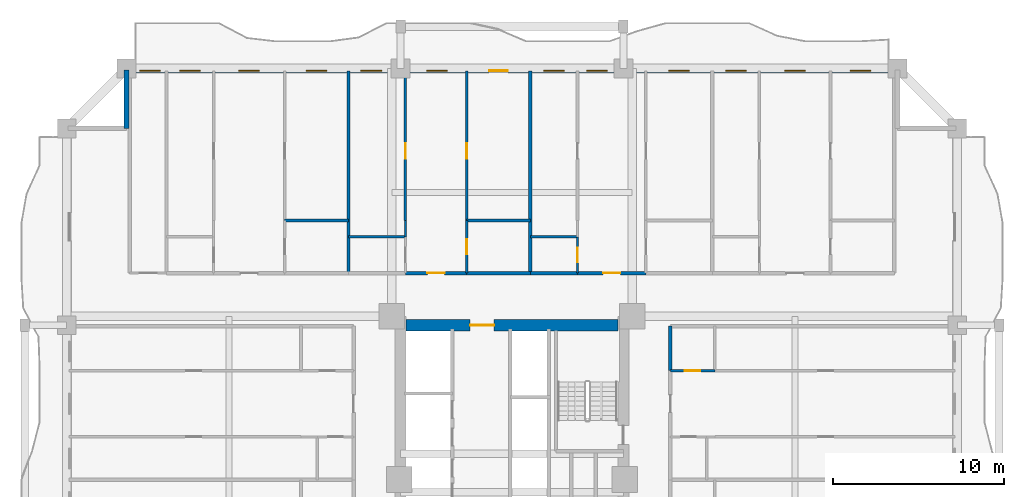
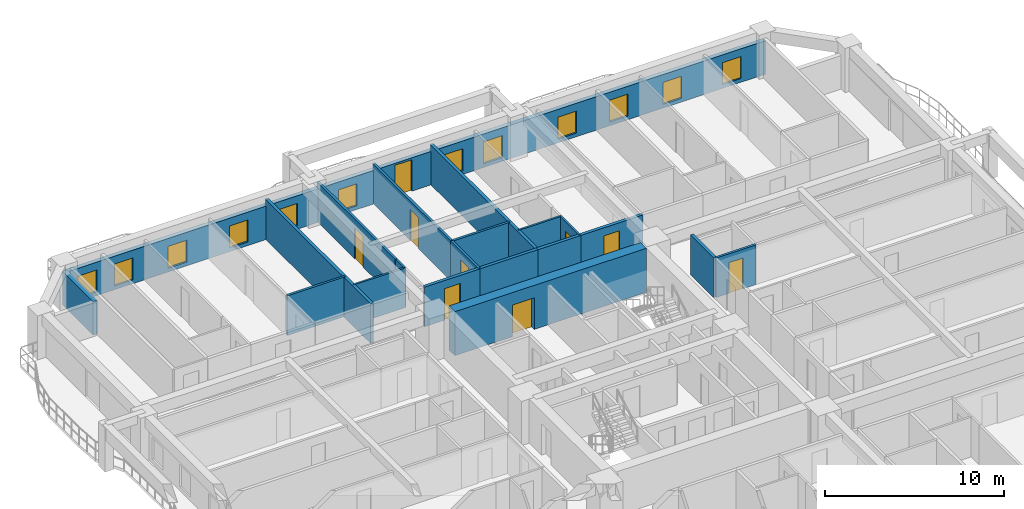
# One storey, part 7 of 15: 20 walls, 12 windows, 9 doors, 21 openings.
"""IFC4 building model written with IfcOpenShell, lengths in metres."""

from ifc_helpers import new_model, si_unit, direction, frame, frame_2d, origin, place, context, subcontext, project, spatial, rectangle, extrude, source, transform, mapped, material, layer, layer_set, type_object, element, fill, save


model = new_model("IFC4")

# Units and contexts
model_context = context("Model", 3, precision=1e-05, world=origin(), true_north=direction((0.0, 1.0)))
body_context = subcontext(model_context, "Body", "Model", "MODEL_VIEW")
ifc_project = project(units=[si_unit("LENGTHUNIT", "METRE"), si_unit("AREAUNIT", "SQUARE_METRE"), si_unit("VOLUMEUNIT", "CUBIC_METRE"), si_unit("PLANEANGLEUNIT", "RADIAN"), si_unit("MASSUNIT", "GRAM", prefix="KILO")], contexts=[model_context])

# Site, building, storey
site_placement = place(None, origin())
site = spatial("IfcSite", under=ifc_project, at=site_placement, CompositionType="ELEMENT")
building_placement = place(site_placement, origin())
building = spatial("IfcBuilding", under=site, at=building_placement, Name="Saelheon Loggia Tower", CompositionType="ELEMENT")
storey_placement = place(building_placement, frame((0.0, 0.0, 67.39990234375)))
storey = spatial("IfcBuildingStorey", under=building, at=storey_placement, Name="L21", CompositionType="ELEMENT", Elevation=67.39990234375)

# Wall, opening, door
ifc_material_1 = material(Name="Concrete C60/75", Category="concrete")
ifc_layer_1 = layer(ifc_material_1, 0.64990234375)
ifc_layer_set_1 = layer_set([ifc_layer_1], Name="Concrete C60/75")
wall_type_1 = type_object("IfcWallType", Name="Wall_CoreShear_650", PredefinedType="SHEAR", material=ifc_layer_set_1)
wall_1_placement = place(storey_placement, frame((31.824951171875, 36.0, 0.0), z_axis=(0.0, 0.0, 1.0), x_axis=(1.0, 0.0, 0.0)))
wall_1 = element("IfcWall", 1, at=wall_1_placement, inside=storey, type_object=wall_type_1, Name="L21 Core Shear Wall North", PredefinedType="SHEAR", context=body_context, shape_type="SweptSolid", body=[
    extrude(rectangle(XDim=12.35009765625, YDim=0.64990234375, at=frame_2d((6.175048828125, 0.0))), origin(), (0.0, 0.0, 1.0), 3.0),
])
opening_1_placement = place(wall_1_placement, frame((5.125, 0.0, 0.0), z_axis=(0.0, 0.0, 1.0), x_axis=(-1.0, 0.0, 0.0)))
opening_1 = element("IfcOpeningElement", 2, at=opening_1_placement, cuts=wall_1, Name="Opening D-FD2L", PredefinedType="OPENING", context=body_context, shape_type="SweptSolid", body=[
    extrude(rectangle(XDim=1.39990234375, YDim=2.14990234375, at=frame_2d((0.699951171875, 1.074951171875))), frame((0.0, 0.3369140625, 0.0), z_axis=(0.0, -1.0, 0.0), x_axis=(1.0, 0.0, 0.0)), (0.0, 0.0, 1.0), 0.673828125),
])
ifc_material_2 = material(Name="Galvanised Steel Glazed Lobby Fire Door", Category="steel")
door_type_1 = type_object("IfcDoorType", Name="Door_Fire_FD60_1400", OperationType="NOTDEFINED", PredefinedType="DOOR", material=ifc_material_2)
shared_shape_1 = source(origin(), body_context, "Body", "SweptSolid", [
    extrude(rectangle(XDim=1.39990234375, YDim=2.14990234375, at=frame_2d((0.699951171875, 1.074951171875))), frame((0.0, 0.02490234375, 0.0), z_axis=(0.0, -1.0, 0.0), x_axis=(1.0, 0.0, 0.0)), (0.0, 0.0, 1.0), 0.050048828125),
])
door_1_placement = place(opening_1_placement, origin())
door_1 = element("IfcDoor", 3, at=door_1_placement, inside=storey, type_object=door_type_1, Name="L21 Passenger Lift Lobby Main Door", OperationType="SINGLE_SWING_RIGHT", OverallHeight=2.14990234375, OverallWidth=1.39990234375, PredefinedType="DOOR", context=body_context, shape_type="MappedRepresentation", body=[
    mapped(shared_shape_1, transform((0.0, 0.0, 0.0), scale=1.0)),
])
fill(opening_1, door_1)

# Wall, openings, windows, door
ifc_material_3 = material(Name="Architectural Precast Concrete C40/50", Category="concrete")
ifc_layer_2 = layer(ifc_material_3, 0.280029296875)
ifc_layer_set_2 = layer_set([ifc_layer_2], Name="Architectural Precast Concrete C40/50")
wall_type_2 = type_object("IfcWallType", Name="Wall_Ext_Loggia_280", PredefinedType="SOLIDWALL", material=ifc_layer_set_2)
wall_2_placement = place(storey_placement, frame((15.5, 50.860107421875, 0.0), z_axis=(0.0, 0.0, 1.0), x_axis=(1.0, 0.0, 0.0)))
wall_2 = element("IfcWall", 4, at=wall_2_placement, inside=storey, type_object=wall_type_2, Name="L21 North Loggia Inner Wall", PredefinedType="SOLIDWALL", context=body_context, shape_type="SweptSolid", body=[
    extrude(rectangle(XDim=45.0, YDim=0.280029296875, at=frame_2d((22.5, 0.0))), origin(), (0.0, 0.0, 1.0), 2.280029296875),
])
opening_2_placement = place(wall_2_placement, frame((0.760009765625, 0.0, 0.25)))
opening_2 = element("IfcOpeningElement", 5, at=opening_2_placement, cuts=wall_2, Name="Opening WN-03", PredefinedType="OPENING", context=body_context, shape_type="SweptSolid", body=[
    extrude(rectangle(XDim=1.199951171875, YDim=1.5, at=frame_2d((0.60009765625, 0.75))), frame((0.0, 0.152099609375, 0.0), z_axis=(0.0, -1.0, 0.0), x_axis=(1.0, 0.0, 0.0)), (0.0, 0.0, 1.0), 0.303955078125),
])
opening_3_placement = place(wall_2_placement, frame((3.10498046875, 0.0, 0.25)))
opening_3 = element("IfcOpeningElement", 6, at=opening_3_placement, cuts=wall_2, Name="Opening WN-03", PredefinedType="OPENING", context=body_context, shape_type="SweptSolid", body=[
    extrude(rectangle(XDim=1.199951171875, YDim=1.5, at=frame_2d((0.60009765625, 0.75))), frame((0.0, 0.152099609375, 0.0), z_axis=(0.0, -1.0, 0.0), x_axis=(1.0, 0.0, 0.0)), (0.0, 0.0, 1.0), 0.303955078125),
])
opening_4_placement = place(wall_2_placement, frame((6.554931640625, 0.0, 0.25)))
opening_4 = element("IfcOpeningElement", 7, at=opening_4_placement, cuts=wall_2, Name="Opening WN-03", PredefinedType="OPENING", context=body_context, shape_type="SweptSolid", body=[
    extrude(rectangle(XDim=1.199951171875, YDim=1.5, at=frame_2d((0.60009765625, 0.75))), frame((0.0, 0.152099609375, 0.0), z_axis=(0.0, -1.0, 0.0), x_axis=(1.0, 0.0, 0.0)), (0.0, 0.0, 1.0), 0.303955078125),
])
opening_5_placement = place(wall_2_placement, frame((10.4912109375, 0.0, 0.25)))
opening_5 = element("IfcOpeningElement", 8, at=opening_5_placement, cuts=wall_2, Name="Opening WN-03", PredefinedType="OPENING", context=body_context, shape_type="SweptSolid", body=[
    extrude(rectangle(XDim=1.199951171875, YDim=1.5, at=frame_2d((0.60009765625, 0.75))), frame((0.0, 0.152099609375, 0.0), z_axis=(0.0, -1.0, 0.0), x_axis=(1.0, 0.0, 0.0)), (0.0, 0.0, 1.0), 0.303955078125),
])
opening_6_placement = place(wall_2_placement, frame((13.681396484375, 0.0, 0.25)))
opening_6 = element("IfcOpeningElement", 9, at=opening_6_placement, cuts=wall_2, Name="Opening WN-03", PredefinedType="OPENING", context=body_context, shape_type="SweptSolid", body=[
    extrude(rectangle(XDim=1.199951171875, YDim=1.5, at=frame_2d((0.60009765625, 0.75))), frame((0.0, 0.152099609375, 0.0), z_axis=(0.0, -1.0, 0.0), x_axis=(1.0, 0.0, 0.0)), (0.0, 0.0, 1.0), 0.303955078125),
])
opening_7_placement = place(wall_2_placement, frame((17.52099609375, 0.0, 0.25)))
opening_7 = element("IfcOpeningElement", 10, at=opening_7_placement, cuts=wall_2, Name="Opening WN-03", PredefinedType="OPENING", context=body_context, shape_type="SweptSolid", body=[
    extrude(rectangle(XDim=1.199951171875, YDim=1.5, at=frame_2d((0.60009765625, 0.75))), frame((0.0, 0.152099609375, 0.0), z_axis=(0.0, -1.0, 0.0), x_axis=(1.0, 0.0, 0.0)), (0.0, 0.0, 1.0), 0.303955078125),
])
opening_8_placement = place(wall_2_placement, frame((21.16357421875, 0.0, 0.0)))
opening_8 = element("IfcOpeningElement", 11, at=opening_8_placement, cuts=wall_2, Name="Opening TD1", PredefinedType="OPENING", context=body_context, shape_type="SweptSolid", body=[
    extrude(rectangle(XDim=1.10009765625, YDim=2.14990234375, at=frame_2d((0.550048828125, 1.074951171875))), frame((0.0, 0.152099609375, 0.0), z_axis=(0.0, -1.0, 0.0), x_axis=(1.0, 0.0, 0.0)), (0.0, 0.0, 1.0), 0.303955078125),
])
opening_9_placement = place(wall_2_placement, frame((24.35009765625, 0.0, 0.25)))
opening_9 = element("IfcOpeningElement", 12, at=opening_9_placement, cuts=wall_2, Name="Opening WN-03", PredefinedType="OPENING", context=body_context, shape_type="SweptSolid", body=[
    extrude(rectangle(XDim=1.199951171875, YDim=1.5, at=frame_2d((0.60009765625, 0.75))), frame((0.0, 0.152099609375, 0.0), z_axis=(0.0, -1.0, 0.0), x_axis=(1.0, 0.0, 0.0)), (0.0, 0.0, 1.0), 0.303955078125),
])
opening_10_placement = place(wall_2_placement, frame((26.867431640625, 0.0, 0.25)))
opening_10 = element("IfcOpeningElement", 13, at=opening_10_placement, cuts=wall_2, Name="Opening WN-03", PredefinedType="OPENING", context=body_context, shape_type="SweptSolid", body=[
    extrude(rectangle(XDim=1.199951171875, YDim=1.5, at=frame_2d((0.60009765625, 0.75))), frame((0.0, 0.152099609375, 0.0), z_axis=(0.0, -1.0, 0.0), x_axis=(1.0, 0.0, 0.0)), (0.0, 0.0, 1.0), 0.303955078125),
])
opening_11_placement = place(wall_2_placement, frame((31.65869140625, 0.0, 0.25)))
opening_11 = element("IfcOpeningElement", 14, at=opening_11_placement, cuts=wall_2, Name="Opening WN-03", PredefinedType="OPENING", context=body_context, shape_type="SweptSolid", body=[
    extrude(rectangle(XDim=1.199951171875, YDim=1.5, at=frame_2d((0.60009765625, 0.75))), frame((0.0, 0.152099609375, 0.0), z_axis=(0.0, -1.0, 0.0), x_axis=(1.0, 0.0, 0.0)), (0.0, 0.0, 1.0), 0.303955078125),
])
opening_12_placement = place(wall_2_placement, frame((34.972412109375, 0.0, 0.25)))
opening_12 = element("IfcOpeningElement", 15, at=opening_12_placement, cuts=wall_2, Name="Opening WN-03", PredefinedType="OPENING", context=body_context, shape_type="SweptSolid", body=[
    extrude(rectangle(XDim=1.199951171875, YDim=1.5, at=frame_2d((0.60009765625, 0.75))), frame((0.0, 0.152099609375, 0.0), z_axis=(0.0, -1.0, 0.0), x_axis=(1.0, 0.0, 0.0)), (0.0, 0.0, 1.0), 0.303955078125),
])
opening_13_placement = place(wall_2_placement, frame((38.42236328125, 0.0, 0.25)))
opening_13 = element("IfcOpeningElement", 16, at=opening_13_placement, cuts=wall_2, Name="Opening WN-03", PredefinedType="OPENING", context=body_context, shape_type="SweptSolid", body=[
    extrude(rectangle(XDim=1.199951171875, YDim=1.5, at=frame_2d((0.60009765625, 0.75))), frame((0.0, 0.152099609375, 0.0), z_axis=(0.0, -1.0, 0.0), x_axis=(1.0, 0.0, 0.0)), (0.0, 0.0, 1.0), 0.303955078125),
])
opening_14_placement = place(wall_2_placement, frame((42.253662109375, 0.0, 0.25)))
opening_14 = element("IfcOpeningElement", 17, at=opening_14_placement, cuts=wall_2, Name="Opening WN-03", PredefinedType="OPENING", context=body_context, shape_type="SweptSolid", body=[
    extrude(rectangle(XDim=1.199951171875, YDim=1.5, at=frame_2d((0.60009765625, 0.75))), frame((0.0, 0.152099609375, 0.0), z_axis=(0.0, -1.0, 0.0), x_axis=(1.0, 0.0, 0.0)), (0.0, 0.0, 1.0), 0.303955078125),
])
ifc_material_4 = material(Name="Thermal-Break Aluminium and Triple Low-E Glass", Category="aluminium")
window_type = type_object("IfcWindowType", Name="Win_Bedroom_1200x1500", PartitioningType="SINGLE_PANEL", PredefinedType="WINDOW", material=ifc_material_4)
shared_shape_2 = source(origin(), body_context, "Body", "SweptSolid", [
    extrude(rectangle(XDim=1.199951171875, YDim=1.5, at=frame_2d((0.60009765625, 0.75))), frame((0.0, 0.030029296875, 0.0), z_axis=(0.0, -1.0, 0.0), x_axis=(1.0, 0.0, 0.0)), (0.0, 0.0, 1.0), 0.06005859375),
])
window_1_placement = place(opening_2_placement, origin())
window_1 = element("IfcWindow", 18, at=window_1_placement, inside=storey, type_object=window_type, Name="L21 N Dwelling Window 1", OverallHeight=1.5, OverallWidth=1.199951171875, PartitioningType="SINGLE_PANEL", PredefinedType="WINDOW", context=body_context, shape_type="MappedRepresentation", body=[
    mapped(shared_shape_2, transform((0.0, 0.0, 0.0), scale=1.0)),
])
fill(opening_2, window_1)
window_2_placement = place(opening_3_placement, origin())
window_2 = element("IfcWindow", 19, at=window_2_placement, inside=storey, type_object=window_type, Name="L21 N Dwelling Window 2", OverallHeight=1.5, OverallWidth=1.199951171875, PartitioningType="SINGLE_PANEL", PredefinedType="WINDOW", context=body_context, shape_type="MappedRepresentation", body=[
    mapped(shared_shape_2, transform((0.0, 0.0, 0.0), scale=1.0)),
])
fill(opening_3, window_2)
window_3_placement = place(opening_4_placement, origin())
window_3 = element("IfcWindow", 20, at=window_3_placement, inside=storey, type_object=window_type, Name="L21 N Dwelling Window 3", OverallHeight=1.5, OverallWidth=1.199951171875, PartitioningType="SINGLE_PANEL", PredefinedType="WINDOW", context=body_context, shape_type="MappedRepresentation", body=[
    mapped(shared_shape_2, transform((0.0, 0.0, 0.0), scale=1.0)),
])
fill(opening_4, window_3)
window_4_placement = place(opening_5_placement, origin())
window_4 = element("IfcWindow", 21, at=window_4_placement, inside=storey, type_object=window_type, Name="L21 N Dwelling Window 4", OverallHeight=1.5, OverallWidth=1.199951171875, PartitioningType="SINGLE_PANEL", PredefinedType="WINDOW", context=body_context, shape_type="MappedRepresentation", body=[
    mapped(shared_shape_2, transform((0.0, 0.0, 0.0), scale=1.0)),
])
fill(opening_5, window_4)
window_5_placement = place(opening_6_placement, origin())
window_5 = element("IfcWindow", 22, at=window_5_placement, inside=storey, type_object=window_type, Name="L21 N Dwelling Window 5", OverallHeight=1.5, OverallWidth=1.199951171875, PartitioningType="SINGLE_PANEL", PredefinedType="WINDOW", context=body_context, shape_type="MappedRepresentation", body=[
    mapped(shared_shape_2, transform((0.0, 0.0, 0.0), scale=1.0)),
])
fill(opening_6, window_5)
window_6_placement = place(opening_7_placement, origin())
window_6 = element("IfcWindow", 23, at=window_6_placement, inside=storey, type_object=window_type, Name="L21 N Dwelling Window 6", OverallHeight=1.5, OverallWidth=1.199951171875, PartitioningType="SINGLE_PANEL", PredefinedType="WINDOW", context=body_context, shape_type="MappedRepresentation", body=[
    mapped(shared_shape_2, transform((0.0, 0.0, 0.0), scale=1.0)),
])
fill(opening_7, window_6)
window_7_placement = place(opening_9_placement, origin())
window_7 = element("IfcWindow", 24, at=window_7_placement, inside=storey, type_object=window_type, Name="L21 N Dwelling Window 8", OverallHeight=1.5, OverallWidth=1.199951171875, PartitioningType="SINGLE_PANEL", PredefinedType="WINDOW", context=body_context, shape_type="MappedRepresentation", body=[
    mapped(shared_shape_2, transform((0.0, 0.0, 0.0), scale=1.0)),
])
fill(opening_9, window_7)
window_8_placement = place(opening_10_placement, origin())
window_8 = element("IfcWindow", 25, at=window_8_placement, inside=storey, type_object=window_type, Name="L21 N Dwelling Window 9", OverallHeight=1.5, OverallWidth=1.199951171875, PartitioningType="SINGLE_PANEL", PredefinedType="WINDOW", context=body_context, shape_type="MappedRepresentation", body=[
    mapped(shared_shape_2, transform((0.0, 0.0, 0.0), scale=1.0)),
])
fill(opening_10, window_8)
window_9_placement = place(opening_11_placement, origin())
window_9 = element("IfcWindow", 26, at=window_9_placement, inside=storey, type_object=window_type, Name="L21 N Dwelling Window 10", OverallHeight=1.5, OverallWidth=1.199951171875, PartitioningType="SINGLE_PANEL", PredefinedType="WINDOW", context=body_context, shape_type="MappedRepresentation", body=[
    mapped(shared_shape_2, transform((0.0, 0.0, 0.0), scale=1.0)),
])
fill(opening_11, window_9)
window_10_placement = place(opening_12_placement, origin())
window_10 = element("IfcWindow", 27, at=window_10_placement, inside=storey, type_object=window_type, Name="L21 N Dwelling Window 11", OverallHeight=1.5, OverallWidth=1.199951171875, PartitioningType="SINGLE_PANEL", PredefinedType="WINDOW", context=body_context, shape_type="MappedRepresentation", body=[
    mapped(shared_shape_2, transform((0.0, 0.0, 0.0), scale=1.0)),
])
fill(opening_12, window_10)
window_11_placement = place(opening_13_placement, origin())
window_11 = element("IfcWindow", 28, at=window_11_placement, inside=storey, type_object=window_type, Name="L21 N Dwelling Window 12", OverallHeight=1.5, OverallWidth=1.199951171875, PartitioningType="SINGLE_PANEL", PredefinedType="WINDOW", context=body_context, shape_type="MappedRepresentation", body=[
    mapped(shared_shape_2, transform((0.0, 0.0, 0.0), scale=1.0)),
])
fill(opening_13, window_11)
window_12_placement = place(opening_14_placement, origin())
window_12 = element("IfcWindow", 29, at=window_12_placement, inside=storey, type_object=window_type, Name="L21 N Dwelling Window 13", OverallHeight=1.5, OverallWidth=1.199951171875, PartitioningType="SINGLE_PANEL", PredefinedType="WINDOW", context=body_context, shape_type="MappedRepresentation", body=[
    mapped(shared_shape_2, transform((0.0, 0.0, 0.0), scale=1.0)),
])
fill(opening_14, window_12)
ifc_material_5 = material(Name="Thermal-Break Aluminium Glazed Door", Category="aluminium")
door_type_2 = type_object("IfcDoorType", Name="Door_Terrace_TD1", OperationType="NOTDEFINED", PredefinedType="DOOR", material=ifc_material_5)
shared_shape_3 = source(origin(), body_context, "Body", "SweptSolid", [
    extrude(rectangle(XDim=1.10009765625, YDim=2.14990234375, at=frame_2d((0.550048828125, 1.074951171875))), frame((0.0, 0.02490234375, 0.0), z_axis=(0.0, -1.0, 0.0), x_axis=(1.0, 0.0, 0.0)), (0.0, 0.0, 1.0), 0.050048828125),
])
door_2_placement = place(opening_8_placement, origin())
door_2 = element("IfcDoor", 30, at=door_2_placement, inside=storey, type_object=door_type_2, Name="L21 N Loggia Access Door", OperationType="SINGLE_SWING_LEFT", OverallHeight=2.14990234375, OverallWidth=1.10009765625, PredefinedType="DOOR", context=body_context, shape_type="MappedRepresentation", body=[
    mapped(shared_shape_3, transform((0.0, 0.0, 0.0), scale=1.0)),
])
fill(opening_8, door_2)

# Walls
wall_3_placement = place(storey_placement, frame((15.5, 47.5, 0.0), z_axis=(0.0, 0.0, 1.0), x_axis=(0.0, 1.0, 0.0)))
element("IfcWall", 31, at=wall_3_placement, inside=storey, type_object=wall_type_2, Name="L21 Corner Notch Precast Wall NW1", PredefinedType="SOLIDWALL", context=body_context, shape_type="SweptSolid", body=[
    extrude(rectangle(XDim=3.419921875, YDim=0.280029296875, at=frame_2d((1.7099609375, 0.0))), origin(), (0.0, 0.0, 1.0), 2.280029296875),
])
ifc_material_6 = material(Name="Lightweight Autoclaved Aerated Concrete Block and Acoustic Gypsum", Category="concrete")
ifc_layer_3 = layer(ifc_material_6, 0.14990234375)
ifc_layer_set_3 = layer_set([ifc_layer_3], Name="Lightweight Autoclaved Aerated Concrete Block and Acoustic Gypsum")
wall_type_3 = type_object("IfcWallType", Name="Wall_Part_150", PredefinedType="PARTITIONING", material=ifc_layer_set_3)
for number, where, z_axis, x_axis, name in (
    (32, (24.729736328125, 42.1201171875, 0.0), (0.0, 0.0, 1.0), (1.0, 0.0, 0.0), "L21 N Partition V09"),
    (33, (35.352294921875, 42.1201171875, 0.0), (0.0, 0.0, 1.0), (1.0, 0.0, 0.0), "L21 N Partition V20"),
):
    element("IfcWall", number, at=place(storey_placement, frame(where, z_axis=z_axis, x_axis=x_axis)), inside=storey, type_object=wall_type_3, Name=name, PredefinedType="PARTITIONING", context=body_context, shape_type="SweptSolid", body=[
        extrude(rectangle(XDim=3.72265625, YDim=0.14990234375, at=frame_2d((1.861328125, 0.0))), origin(), (0.0, 0.0, 1.0), 2.7001953125),
    ])

# Wall, opening, door
wall_4_placement = place(storey_placement, frame((31.780029296875, 42.1201171875, 0.0), z_axis=(0.0, 0.0, 1.0), x_axis=(0.0, 1.0, 0.0)))
wall_4 = element("IfcWall", 34, at=wall_4_placement, inside=storey, type_object=wall_type_3, Name="L21 N Partition U23", PredefinedType="PARTITIONING", context=body_context, shape_type="SweptSolid", body=[
    extrude(rectangle(XDim=8.72998046875, YDim=0.14990234375, at=frame_2d((4.364990234375, 0.0))), origin(), (0.0, 0.0, 1.0), 2.7001953125),
])
opening_15_placement = place(wall_4_placement, frame((3.60888671875, 0.0, 0.0)))
opening_15 = element("IfcOpeningElement", 35, at=opening_15_placement, cuts=wall_4, Name="Opening D-IN2", PredefinedType="OPENING", context=body_context, shape_type="SweptSolid", body=[
    extrude(rectangle(XDim=0.89990234375, YDim=2.10009765625, at=frame_2d((0.449951171875, 1.050048828125))), frame((0.0, 0.0869140625, 0.0), z_axis=(0.0, -1.0, 0.0), x_axis=(1.0, 0.0, 0.0)), (0.0, 0.0, 1.0), 0.173828125),
])
ifc_material_7 = material(Name="Engineered Oak Flush Door", Category="timber")
door_type_3 = type_object("IfcDoorType", Name="Door_Int_900", OperationType="NOTDEFINED", PredefinedType="DOOR", material=ifc_material_7)
shared_shape_4 = source(origin(), body_context, "Body", "SweptSolid", [
    extrude(rectangle(XDim=0.89990234375, YDim=2.10009765625, at=frame_2d((0.449951171875, 1.050048828125))), frame((0.0, 0.02490234375, 0.0), z_axis=(0.0, -1.0, 0.0), x_axis=(1.0, 0.0, 0.0)), (0.0, 0.0, 1.0), 0.050048828125),
])
door_3_placement = place(opening_15_placement, origin())
door_3 = element("IfcDoor", 36, at=door_3_placement, inside=storey, type_object=door_type_3, Name="Unit U06 Kitchen Door", OperationType="SINGLE_SWING_RIGHT", OverallHeight=2.10009765625, OverallWidth=0.89990234375, PredefinedType="DOOR", context=body_context, shape_type="MappedRepresentation", body=[
    mapped(shared_shape_4, transform((0.0, 0.0, 0.0), scale=1.0)),
])
fill(opening_15, door_3)

wall_5_placement = place(storey_placement, frame((35.352294921875, 39.050048828125, 0.0), z_axis=(0.0, 0.0, 1.0), x_axis=(0.0, 1.0, 0.0)))
wall_5 = element("IfcWall", 37, at=wall_5_placement, inside=storey, type_object=wall_type_3, Name="L21 N Partition U24", PredefinedType="PARTITIONING", context=body_context, shape_type="SweptSolid", body=[
    extrude(rectangle(XDim=3.070068359375, YDim=0.14990234375, at=frame_2d((1.53515625, 0.0))), origin(), (0.0, 0.0, 1.0), 2.7001953125),
])
opening_16_placement = place(wall_5_placement, frame((1.0849609375, 0.0, 0.0)))
opening_16 = element("IfcOpeningElement", 38, at=opening_16_placement, cuts=wall_5, Name="Opening D-IN2", PredefinedType="OPENING", context=body_context, shape_type="SweptSolid", body=[
    extrude(rectangle(XDim=0.89990234375, YDim=2.10009765625, at=frame_2d((0.449951171875, 1.050048828125))), frame((0.0, 0.0869140625, 0.0), z_axis=(0.0, -1.0, 0.0), x_axis=(1.0, 0.0, 0.0)), (0.0, 0.0, 1.0), 0.173828125),
])
door_4_placement = place(opening_16_placement, origin())
door_4 = element("IfcDoor", 39, at=door_4_placement, inside=storey, type_object=door_type_3, Name="Unit U06 Dressing Closet Door", OperationType="SINGLE_SWING_LEFT", OverallHeight=2.10009765625, OverallWidth=0.89990234375, PredefinedType="DOOR", context=body_context, shape_type="MappedRepresentation", body=[
    mapped(shared_shape_4, transform((0.0, 0.0, 0.0), scale=1.0)),
])
fill(opening_16, door_4)

wall_6_placement = place(storey_placement, frame((35.352294921875, 42.1201171875, 0.0), z_axis=(0.0, 0.0, 1.0), x_axis=(0.0, 1.0, 0.0)))
wall_6 = element("IfcWall", 40, at=wall_6_placement, inside=storey, type_object=wall_type_3, Name="L21 N Partition U25", PredefinedType="PARTITIONING", context=body_context, shape_type="SweptSolid", body=[
    extrude(rectangle(XDim=8.72998046875, YDim=0.14990234375, at=frame_2d((4.364990234375, 0.0))), origin(), (0.0, 0.0, 1.0), 2.7001953125),
])
opening_17_placement = place(wall_6_placement, frame((3.60888671875, 0.0, 0.0)))
opening_17 = element("IfcOpeningElement", 41, at=opening_17_placement, cuts=wall_6, Name="Opening D-IN2", PredefinedType="OPENING", context=body_context, shape_type="SweptSolid", body=[
    extrude(rectangle(XDim=0.89990234375, YDim=2.10009765625, at=frame_2d((0.449951171875, 1.050048828125))), frame((0.0, 0.0869140625, 0.0), z_axis=(0.0, -1.0, 0.0), x_axis=(1.0, 0.0, 0.0)), (0.0, 0.0, 1.0), 0.173828125),
])
door_5_placement = place(opening_17_placement, origin())
door_5 = element("IfcDoor", 42, at=door_5_placement, inside=storey, type_object=door_type_3, Name="Unit U06 Bedroom 1 Door", OperationType="SINGLE_SWING_RIGHT", OverallHeight=2.10009765625, OverallWidth=0.89990234375, PredefinedType="DOOR", context=body_context, shape_type="MappedRepresentation", body=[
    mapped(shared_shape_4, transform((0.0, 0.0, 0.0), scale=1.0)),
])
fill(opening_17, door_5)

wall_7_placement = place(storey_placement, frame((47.25, 33.35009765625, 0.0), z_axis=(0.0, 0.0, 1.0), x_axis=(1.0, 0.0, 0.0)))
wall_7 = element("IfcWall", 43, at=wall_7_placement, inside=storey, type_object=wall_type_3, Name="L21 E Partition U22", PredefinedType="PARTITIONING", context=body_context, shape_type="SweptSolid", body=[
    extrude(rectangle(XDim=2.590087890625, YDim=0.14990234375, at=frame_2d((1.294921875, 0.0))), origin(), (0.0, 0.0, 1.0), 2.7001953125),
])
opening_18_placement = place(wall_7_placement, frame((0.844970703125, 0.0, 0.0)))
opening_18 = element("IfcOpeningElement", 44, at=opening_18_placement, cuts=wall_7, Name="Opening D-IN2", PredefinedType="OPENING", context=body_context, shape_type="SweptSolid", body=[
    extrude(rectangle(XDim=0.89990234375, YDim=2.10009765625, at=frame_2d((0.449951171875, 1.050048828125))), frame((0.0, 0.0869140625, 0.0), z_axis=(0.0, -1.0, 0.0), x_axis=(1.0, 0.0, 0.0)), (0.0, 0.0, 1.0), 0.173828125),
])
door_6_placement = place(opening_18_placement, origin())
door_6 = element("IfcDoor", 45, at=door_6_placement, inside=storey, type_object=door_type_3, Name="Unit U12 Dressing Closet Door", OperationType="SINGLE_SWING_LEFT", OverallHeight=2.10009765625, OverallWidth=0.89990234375, PredefinedType="DOOR", context=body_context, shape_type="MappedRepresentation", body=[
    mapped(shared_shape_4, transform((0.0, 0.0, 0.0), scale=1.0)),
])
fill(opening_18, door_6)

# Wall
ifc_material_8 = material(Name="Double Acoustic Stud and Fireboard Partition", Category="gypsum")
ifc_layer_4 = layer(ifc_material_8, 0.199951171875)
ifc_layer_set_4 = layer_set([ifc_layer_4], Name="Double Acoustic Stud and Fireboard Partition")
wall_type_4 = type_object("IfcWallType", Name="Wall_Party_200", PredefinedType="PARTITIONING", material=ifc_layer_set_4)
wall_8_placement = place(storey_placement, frame((28.452392578125, 39.050048828125, 0.0), z_axis=(0.0, 0.0, 1.0), x_axis=(0.0, 1.0, 0.0)))
element("IfcWall", 46, at=wall_8_placement, inside=storey, type_object=wall_type_4, Name="L21 N Partition U15", PredefinedType="PARTITIONING", context=body_context, shape_type="SweptSolid", body=[
    extrude(rectangle(XDim=11.800048828125, YDim=0.199951171875, at=frame_2d((5.89990234375, 0.0))), origin(), (0.0, 0.0, 1.0), 2.7001953125),
])

# Wall, opening, door
wall_9_placement = place(storey_placement, frame((31.780029296875, 39.050048828125, 0.0), z_axis=(0.0, 0.0, 1.0), x_axis=(1.0, 0.0, 0.0)))
wall_9 = element("IfcWall", 47, at=wall_9_placement, inside=storey, type_object=wall_type_4, Name="L21 N Partition V17", PredefinedType="PARTITIONING", context=body_context, shape_type="SweptSolid", body=[
    extrude(rectangle(XDim=3.572265625, YDim=0.199951171875, at=frame_2d((1.7861328125, 0.0))), origin(), (0.0, 0.0, 1.0), 2.7001953125),
])
opening_19_placement = place(wall_9_placement, frame((1.2861328125, 0.0, 0.0)))
opening_19 = element("IfcOpeningElement", 48, at=opening_19_placement, cuts=wall_9, Name="Opening D-FD1", PredefinedType="OPENING", context=body_context, shape_type="SweptSolid", body=[
    extrude(rectangle(XDim=1.0, YDim=2.14990234375, at=frame_2d((0.5, 1.074951171875))), frame((0.0, 0.112060546875, 0.0), z_axis=(0.0, -1.0, 0.0), x_axis=(1.0, 0.0, 0.0)), (0.0, 0.0, 1.0), 0.223876953125),
])
ifc_material_9 = material(Name="Fire-Rated Engineered Timber Entrance Door", Category="wood")
door_type_4 = type_object("IfcDoorType", Name="Door_Flat_FD30S", OperationType="NOTDEFINED", PredefinedType="DOOR", material=ifc_material_9)
shared_shape_5 = source(origin(), body_context, "Body", "SweptSolid", [
    extrude(rectangle(XDim=1.0, YDim=2.14990234375, at=frame_2d((0.5, 1.074951171875))), frame((0.0, 0.02490234375, 0.0), z_axis=(0.0, -1.0, 0.0), x_axis=(1.0, 0.0, 0.0)), (0.0, 0.0, 1.0), 0.050048828125),
])
door_7_placement = place(opening_19_placement, origin())
door_7 = element("IfcDoor", 49, at=door_7_placement, inside=storey, type_object=door_type_4, Name="Unit U06 Entrance Door", OperationType="SINGLE_SWING_RIGHT", OverallHeight=2.14990234375, OverallWidth=1.0, PredefinedType="DOOR", context=body_context, shape_type="MappedRepresentation", body=[
    mapped(shared_shape_5, transform((0.0, 0.0, 0.0), scale=1.0)),
])
fill(opening_19, door_7)

# Walls
wall_10_placement = place(storey_placement, frame((35.352294921875, 39.050048828125, 0.0), z_axis=(0.0, 0.0, 1.0), x_axis=(1.0, 0.0, 0.0)))
element("IfcWall", 50, at=wall_10_placement, inside=storey, type_object=wall_type_4, Name="L21 N Partition V18", PredefinedType="PARTITIONING", context=body_context, shape_type="SweptSolid", body=[
    extrude(rectangle(XDim=3.72265625, YDim=0.199951171875, at=frame_2d((1.861328125, 0.0))), origin(), (0.0, 0.0, 1.0), 2.7001953125),
])
wall_11_placement = place(storey_placement, frame((39.074951171875, 39.050048828125, 0.0), z_axis=(0.0, 0.0, 1.0), x_axis=(0.0, 1.0, 0.0)))
element("IfcWall", 51, at=wall_11_placement, inside=storey, type_object=wall_type_4, Name="L21 N Partition U26", PredefinedType="PARTITIONING", context=body_context, shape_type="SweptSolid", body=[
    extrude(rectangle(XDim=11.800048828125, YDim=0.199951171875, at=frame_2d((5.89990234375, 0.0))), origin(), (0.0, 0.0, 1.0), 2.7001953125),
])
wall_12_placement = place(storey_placement, frame((39.074951171875, 39.050048828125, 0.0), z_axis=(0.0, 0.0, 1.0), x_axis=(1.0, 0.0, 0.0)))
element("IfcWall", 52, at=wall_12_placement, inside=storey, type_object=wall_type_4, Name="L21 N Partition V27", PredefinedType="PARTITIONING", context=body_context, shape_type="SweptSolid", body=[
    extrude(rectangle(XDim=2.75, YDim=0.199951171875, at=frame_2d((1.375, 0.0))), origin(), (0.0, 0.0, 1.0), 2.7001953125),
])

# Wall, opening, door
wall_13_placement = place(storey_placement, frame((41.824951171875, 39.050048828125, 0.0), z_axis=(0.0, 0.0, 1.0), x_axis=(1.0, 0.0, 0.0)))
wall_13 = element("IfcWall", 53, at=wall_13_placement, inside=storey, type_object=wall_type_4, Name="L21 N Partition V28", PredefinedType="PARTITIONING", context=body_context, shape_type="SweptSolid", body=[
    extrude(rectangle(XDim=3.9951171875, YDim=0.199951171875, at=frame_2d((1.99755859375, 0.0))), origin(), (0.0, 0.0, 1.0), 2.7001953125),
])
opening_20_placement = place(wall_13_placement, frame((1.49755859375, 0.0, 0.0)))
opening_20 = element("IfcOpeningElement", 54, at=opening_20_placement, cuts=wall_13, Name="Opening D-FD1", PredefinedType="OPENING", context=body_context, shape_type="SweptSolid", body=[
    extrude(rectangle(XDim=1.0, YDim=2.14990234375, at=frame_2d((0.5, 1.074951171875))), frame((0.0, 0.112060546875, 0.0), z_axis=(0.0, -1.0, 0.0), x_axis=(1.0, 0.0, 0.0)), (0.0, 0.0, 1.0), 0.223876953125),
])
door_8_placement = place(opening_20_placement, origin())
door_8 = element("IfcDoor", 55, at=door_8_placement, inside=storey, type_object=door_type_4, Name="Unit U07 Entrance Door", OperationType="SINGLE_SWING_LEFT", OverallHeight=2.14990234375, OverallWidth=1.0, PredefinedType="DOOR", context=body_context, shape_type="MappedRepresentation", body=[
    mapped(shared_shape_5, transform((0.0, 0.0, 0.0), scale=1.0)),
])
fill(opening_20, door_8)

# Walls
wall_14_placement = place(storey_placement, frame((47.25, 33.35009765625, 0.0), z_axis=(0.0, 0.0, 1.0), x_axis=(0.0, 1.0, 0.0)))
element("IfcWall", 56, at=wall_14_placement, inside=storey, type_object=wall_type_4, Name="L21 E Partition V16", PredefinedType="PARTITIONING", context=body_context, shape_type="SweptSolid", body=[
    extrude(rectangle(XDim=2.599853515625, YDim=0.199951171875, at=frame_2d((1.2998046875, 0.0))), origin(), (0.0, 0.0, 1.0), 2.7001953125),
])
ifc_material_10 = material(Name="Moisture-Resistant Cement Board Partition", Category="gypsum")
ifc_layer_5 = layer(ifc_material_10, 0.1201171875)
ifc_layer_set_5 = layer_set([ifc_layer_5], Name="Moisture-Resistant Cement Board Partition")
wall_type_5 = type_object("IfcWallType", Name="Wall_WetPart_120", PredefinedType="PARTITIONING", material=ifc_layer_set_5)
wall_15_placement = place(storey_placement, frame((28.452392578125, 41.169921875, 0.0), z_axis=(0.0, 0.0, 1.0), x_axis=(1.0, 0.0, 0.0)))
element("IfcWall", 57, at=wall_15_placement, inside=storey, type_object=wall_type_5, Name="L21 N Partition V19", PredefinedType="PARTITIONING", context=body_context, shape_type="SweptSolid", body=[
    extrude(rectangle(XDim=3.32763671875, YDim=0.1201171875, at=frame_2d((1.663818359375, 0.0))), origin(), (0.0, 0.0, 1.0), 2.7001953125),
])
wall_16_placement = place(storey_placement, frame((31.780029296875, 41.169921875, 0.0), z_axis=(0.0, 0.0, 1.0), x_axis=(0.0, 1.0, 0.0)))
element("IfcWall", 58, at=wall_16_placement, inside=storey, type_object=wall_type_5, Name="L21 N Partition U22", PredefinedType="PARTITIONING", context=body_context, shape_type="SweptSolid", body=[
    extrude(rectangle(XDim=0.9501953125, YDim=0.1201171875, at=frame_2d((0.47509765625, 0.0))), origin(), (0.0, 0.0, 1.0), 2.7001953125),
])
wall_17_placement = place(storey_placement, frame((39.074951171875, 41.169921875, 0.0), z_axis=(0.0, 0.0, 1.0), x_axis=(1.0, 0.0, 0.0)))
element("IfcWall", 59, at=wall_17_placement, inside=storey, type_object=wall_type_5, Name="L21 N Partition V30", PredefinedType="PARTITIONING", context=body_context, shape_type="SweptSolid", body=[
    extrude(rectangle(XDim=2.75, YDim=0.1201171875, at=frame_2d((1.375, 0.0))), origin(), (0.0, 0.0, 1.0), 2.7001953125),
])

# Wall, opening, door
wall_18_placement = place(storey_placement, frame((41.824951171875, 39.050048828125, 0.0), z_axis=(0.0, 0.0, 1.0), x_axis=(0.0, 1.0, 0.0)))
wall_18 = element("IfcWall", 60, at=wall_18_placement, inside=storey, type_object=wall_type_5, Name="L21 N Partition U32", PredefinedType="PARTITIONING", context=body_context, shape_type="SweptSolid", body=[
    extrude(rectangle(XDim=2.119873046875, YDim=0.1201171875, at=frame_2d((1.06005859375, 0.0))), origin(), (0.0, 0.0, 1.0), 2.7001953125),
])
opening_21_placement = place(wall_18_placement, frame((0.635009765625, 0.0, 0.0)))
opening_21 = element("IfcOpeningElement", 61, at=opening_21_placement, cuts=wall_18, Name="Opening D-BT1", PredefinedType="OPENING", context=body_context, shape_type="SweptSolid", body=[
    extrude(rectangle(XDim=0.85009765625, YDim=2.050048828125, at=frame_2d((0.425048828125, 1.02490234375))), frame((0.0, 0.072021484375, 0.0), z_axis=(0.0, -1.0, 0.0), x_axis=(1.0, 0.0, 0.0)), (0.0, 0.0, 1.0), 0.14404296875),
])
ifc_material_11 = material(Name="Moisture-Resistant Laminate Timber Door", Category="wood")
door_type_5 = type_object("IfcDoorType", Name="Door_Bath_850", OperationType="NOTDEFINED", PredefinedType="DOOR", material=ifc_material_11)
shared_shape_6 = source(origin(), body_context, "Body", "SweptSolid", [
    extrude(rectangle(XDim=0.85009765625, YDim=2.050048828125, at=frame_2d((0.425048828125, 1.02490234375))), frame((0.0, 0.02490234375, 0.0), z_axis=(0.0, -1.0, 0.0), x_axis=(1.0, 0.0, 0.0)), (0.0, 0.0, 1.0), 0.050048828125),
])
door_9_placement = place(opening_21_placement, origin())
door_9 = element("IfcDoor", 62, at=door_9_placement, inside=storey, type_object=door_type_5, Name="Unit U07 Bathroom Door", OperationType="SINGLE_SWING_RIGHT", OverallHeight=2.050048828125, OverallWidth=0.85009765625, PredefinedType="DOOR", context=body_context, shape_type="MappedRepresentation", body=[
    mapped(shared_shape_6, transform((0.0, 0.0, 0.0), scale=1.0)),
])
fill(opening_21, door_9)

save(model, "model.ifc")
